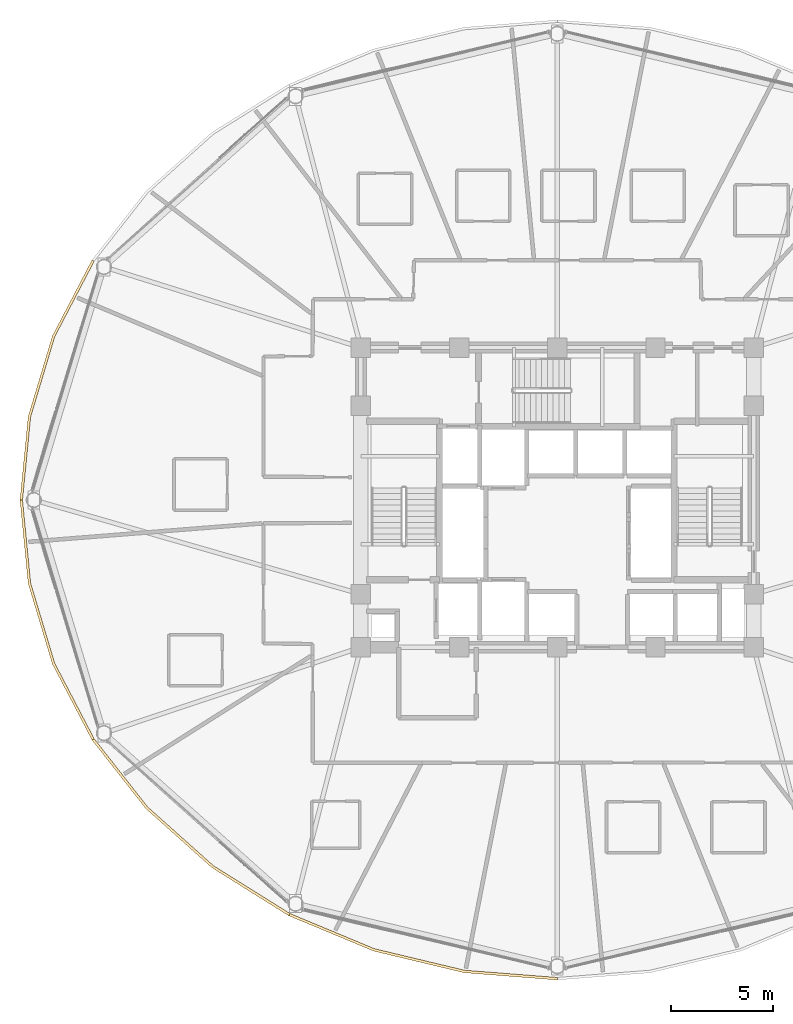
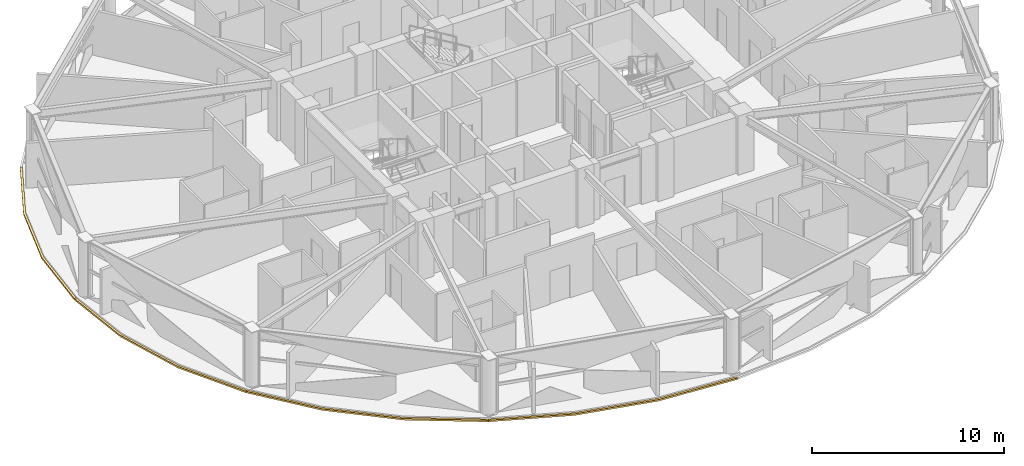
# One storey, part 29 of 32: 4 coverings.
"""IFC4 building model written with IfcOpenShell, lengths in metres."""

from ifc_helpers import new_model, si_unit, direction, frame, origin, place, context, subcontext, project, spatial, polyline, outline, extrude, material, layer, layer_set, type_object, element, save


model = new_model("IFC4")

# Units and contexts
model_context = context("Model", 3, precision=1e-05, world=origin(), true_north=direction((0.0, 1.0)))
body_context = subcontext(model_context, "Body", "Model", "MODEL_VIEW")
ifc_project = project(units=[si_unit("LENGTHUNIT", "METRE"), si_unit("AREAUNIT", "SQUARE_METRE"), si_unit("VOLUMEUNIT", "CUBIC_METRE"), si_unit("PLANEANGLEUNIT", "RADIAN"), si_unit("MASSUNIT", "GRAM", prefix="KILO")], contexts=[model_context])

# Site, building, storey
site_placement = place(None, origin())
site = spatial("IfcSite", under=ifc_project, at=site_placement, CompositionType="ELEMENT")
building_placement = place(site_placement, origin())
building = spatial("IfcBuilding", under=site, at=building_placement, Name="Vantalir Tower", CompositionType="ELEMENT")
storey_placement = place(building_placement, frame((0.0, 0.0, 100.949951171875)))
storey = spatial("IfcBuildingStorey", under=building, at=storey_placement, Name="L24", CompositionType="ELEMENT", Elevation=100.949951171875)

# Coverings
ifc_material = material(Name="Anodised champagne aluminium sill fascia", Category="aluminium")
ifc_layer = layer(ifc_material, 0.125)
ifc_layer_set = layer_set([ifc_layer], Name="Anodised champagne aluminium sill fascia")
covering_type = type_object("IfcCoveringType", Name="COV-SLAB-FASCIA-125", PredefinedType="CLADDING", material=ifc_layer_set)
covering_1_placement = place(storey_placement, frame((0.0, 0.0, -0.179931640625)))
element("IfcCovering", 1, at=covering_1_placement, inside=storey, type_object=covering_type, Name="L24 Perimeter Slab-Edge Sill Fascia 06", PredefinedType="CLADDING", context=body_context, shape_type="SweptSolid", body=[
    extrude(outline(polyline([(8.756103515625, 36.73095703125), (6.821044921875, 33.02490234375), (5.635986328125, 29.073974609375), (5.237060546875, 25.0), (5.362060546875, 25.0), (5.759033203125, 29.052978515625), (6.93798828125, 32.98193359375), (8.864013671875, 36.6689453125), (8.756103515625, 36.73095703125)])), origin(), (0.0, 0.0, 1.0), 0.10498046875),
])
covering_2_placement = place(storey_placement, frame((0.0, 0.0, -0.179931640625)))
element("IfcCovering", 2, at=covering_2_placement, inside=storey, type_object=covering_type, Name="L24 Perimeter Slab-Edge Sill Fascia 07", PredefinedType="CLADDING", context=body_context, shape_type="SweptSolid", body=[
    extrude(outline(polyline([(5.237060546875, 25.0), (5.635986328125, 20.926025390625), (6.821044921875, 16.97509765625), (8.756103515625, 13.26806640625), (8.864013671875, 13.3310546875), (6.93798828125, 17.01806640625), (5.759033203125, 20.947021484375), (5.362060546875, 25.0), (5.237060546875, 25.0)])), origin(), (0.0, 0.0, 1.0), 0.10498046875),
])
covering_3_placement = place(storey_placement, frame((0.0, 0.0, -0.179931640625)))
element("IfcCovering", 3, at=covering_3_placement, inside=storey, type_object=covering_type, Name="L24 Perimeter Slab-Edge Sill Fascia 08", PredefinedType="CLADDING", context=body_context, shape_type="SweptSolid", body=[
    extrude(outline(polyline([(8.756103515625, 13.26806640625), (11.381103515625, 9.91796875), (14.617919921875, 7.02587890625), (18.367919921875, 4.679931640625), (18.430908203125, 4.7890625), (14.698974609375, 7.1220703125), (11.47705078125, 9.9990234375), (8.864013671875, 13.3310546875), (8.756103515625, 13.26806640625)])), origin(), (0.0, 0.0, 1.0), 0.10498046875),
])
covering_4_placement = place(storey_placement, frame((0.0, 0.0, -0.179931640625)))
element("IfcCovering", 4, at=covering_4_placement, inside=storey, type_object=covering_type, Name="L24 Perimeter Slab-Edge Sill Fascia 09", PredefinedType="CLADDING", context=body_context, shape_type="SweptSolid", body=[
    extrude(outline(polyline([(18.367919921875, 4.679931640625), (22.51806640625, 2.951904296875), (26.93896484375, 1.89306640625), (31.5, 1.537109375), (31.5, 1.662109375), (26.9609375, 2.01708984375), (22.56005859375, 3.069091796875), (18.430908203125, 4.7890625), (18.367919921875, 4.679931640625)])), origin(), (0.0, 0.0, 1.0), 0.10498046875),
])

save(model, "model.ifc")
